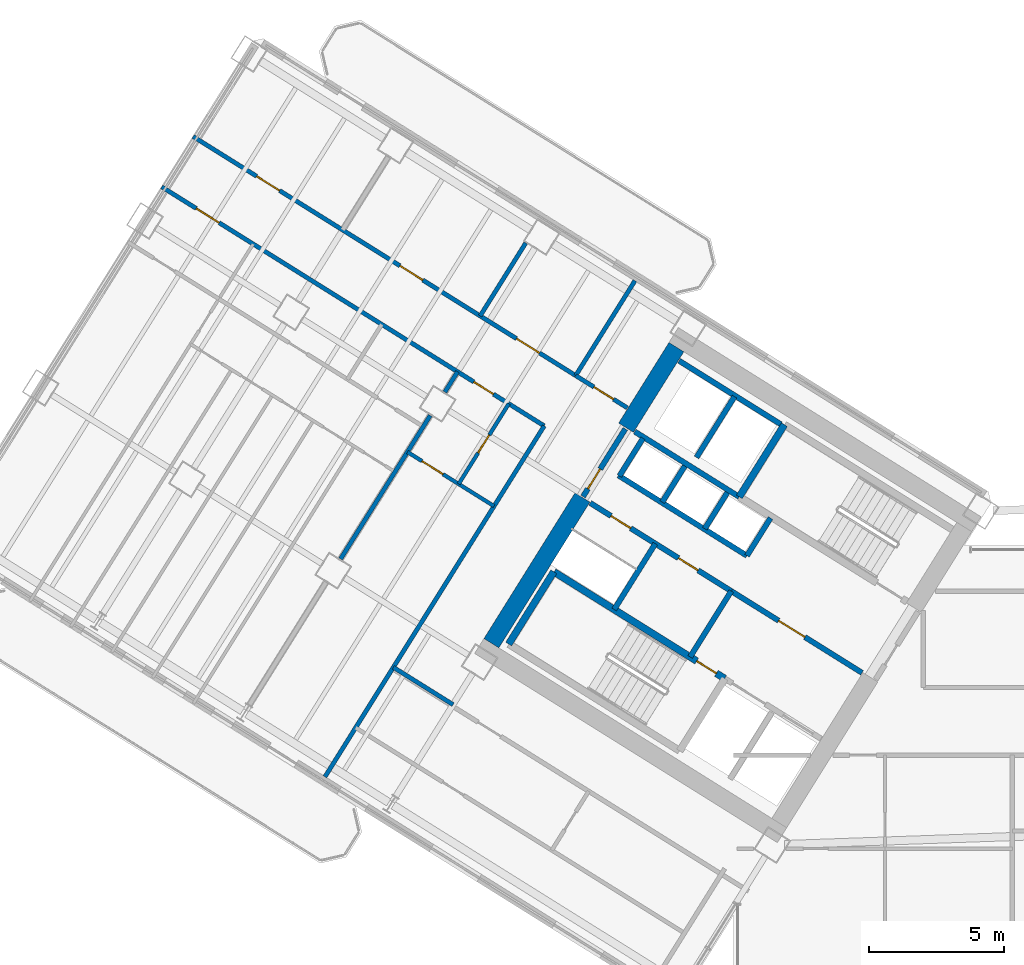
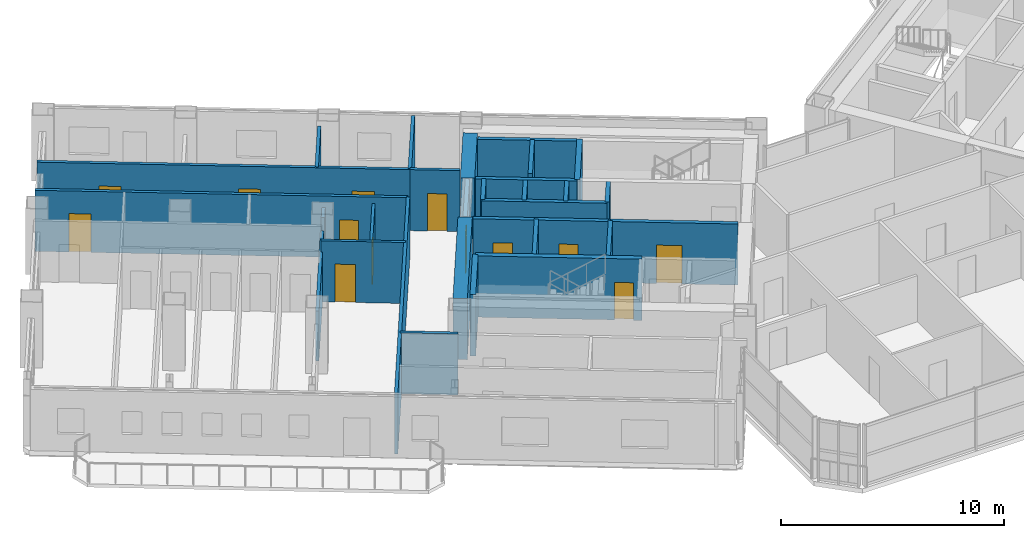
# One storey, part 16 of 28: 29 walls, 13 doors, 13 openings.
"""IFC4 building model written with IfcOpenShell, lengths in metres."""

from ifc_helpers import new_model, si_unit, direction, frame, frame_2d, origin, place, context, subcontext, project, spatial, rectangle, extrude, source, transform, mapped, material, layer, layer_set, type_object, element, fill, save


model = new_model("IFC4")

# Units and contexts
model_context = context("Model", 3, precision=1e-05, world=origin(), true_north=direction((0.0, 1.0)))
body_context = subcontext(model_context, "Body", "Model", "MODEL_VIEW")
ifc_project = project(units=[si_unit("LENGTHUNIT", "METRE"), si_unit("AREAUNIT", "SQUARE_METRE"), si_unit("VOLUMEUNIT", "CUBIC_METRE"), si_unit("PLANEANGLEUNIT", "RADIAN"), si_unit("MASSUNIT", "GRAM", prefix="KILO")], contexts=[model_context])

# Site, building, storey
site_placement = place(None, origin())
site = spatial("IfcSite", under=ifc_project, at=site_placement, CompositionType="ELEMENT")
building_placement = place(site_placement, origin())
building = spatial("IfcBuilding", under=site, at=building_placement, Name="Tlacorven Tower", CompositionType="ELEMENT")
storey_placement = place(building_placement, frame((0.0, 0.0, 27.60009765625)))
storey = spatial("IfcBuildingStorey", under=building, at=storey_placement, Name="L06", CompositionType="ELEMENT", Elevation=27.60009765625)

# Walls
ifc_material_1 = material(Name="Concrete C60/75", Category="concrete")
ifc_layer_1 = layer(ifc_material_1, 0.64990234375)
ifc_layer_set_1 = layer_set([ifc_layer_1], Name="Concrete C60/75")
wall_type_1 = type_object("IfcWallType", Name="WL-COR-650", PredefinedType="SHEAR", material=ifc_layer_set_1)
wall_1_placement = place(storey_placement, frame((29.49072265625, 30.5517578125, 0.0), z_axis=(0.0, 0.0, 1.0), x_axis=(-0.529893103397, -0.8480644427, 0.0)))
element("IfcWall", 1, at=wall_1_placement, inside=storey, type_object=wall_type_1, Name="L06 W core end wall E2.1", PredefinedType="SHEAR", context=body_context, shape_type="SweptSolid", body=[
    extrude(rectangle(XDim=3.525146484375, YDim=0.64990234375, at=frame_2d((1.7626953125, 0.0))), origin(), (0.0, 0.0, 1.0), 3.349853515625),
])
wall_2_placement = place(storey_placement, frame((26.006591796875, 24.975830078125, 0.0), z_axis=(0.0, 0.0, 1.0), x_axis=(-0.529916319127, -0.848049936456, 0.0)))
element("IfcWall", 2, at=wall_2_placement, inside=storey, type_object=wall_type_1, Name="L06 W core end wall E2.2", PredefinedType="SHEAR", context=body_context, shape_type="SweptSolid", body=[
    extrude(rectangle(XDim=6.375, YDim=0.64990234375, at=frame_2d((3.1875, 0.0))), origin(), (0.0, 0.0, 1.0), 3.349853515625),
])

# Wall, opening, door
ifc_material_2 = material(Name="Gypsum plasterboard acoustic partition", Category="gypsum")
ifc_layer_2 = layer(ifc_material_2, 0.159912109375)
ifc_layer_set_2 = layer_set([ifc_layer_2], Name="Gypsum plasterboard acoustic partition")
wall_type_2 = type_object("IfcWallType", Name="WL-DEM-160", PredefinedType="PARTITIONING", material=ifc_layer_set_2)
wall_3_placement = place(storey_placement, frame((27.668701171875, 28.300048828125, 0.0), z_axis=(0.0, 0.0, 1.0), x_axis=(-0.848040823168, 0.52993090327, 0.0)))
wall_3 = element("IfcWall", 3, at=wall_3_placement, inside=storey, type_object=wall_type_2, Name="L06 partition 47", PredefinedType="PARTITIONING", context=body_context, shape_type="SweptSolid", body=[
    extrude(rectangle(XDim=2.2578125, YDim=0.159912109375, at=frame_2d((1.12890625, 0.0))), origin(), (0.0, 0.0, 1.0), 3.33984375),
])
opening_1_placement = place(wall_3_placement, frame((0.597900390625, 0.0, 0.0)))
opening_1 = element("IfcOpeningElement", 4, at=opening_1_placement, cuts=wall_3, Name="Opening D19", PredefinedType="OPENING", context=body_context, shape_type="SweptSolid", body=[
    extrude(rectangle(XDim=0.860107421875, YDim=2.050048828125, at=frame_2d((0.43017578125, 1.02490234375))), frame((0.0, 0.08984375, 0.0), z_axis=(0.0, -1.0, 0.0), x_axis=(1.0, 0.0, 0.0)), (0.0, 0.0, 1.0), 0.179931640625),
])
ifc_material_3 = material(Name="Fire-rated steel door assembly", Category="steel")
door_type_1 = type_object("IfcDoorType", Name="DR-RSR-FD60-0860", OperationType="NOTDEFINED", PredefinedType="DOOR", material=ifc_material_3)
shared_shape_1 = source(origin(), body_context, "Body", "SweptSolid", [
    extrude(rectangle(XDim=0.860107421875, YDim=2.050048828125, at=frame_2d((0.43017578125, 1.02490234375))), frame((0.0, 0.02490234375, 0.0), z_axis=(0.0, -1.0, 0.0), x_axis=(1.0, 0.0, 0.0)), (0.0, 0.0, 1.0), 0.050048828125),
])
door_1_placement = place(opening_1_placement, frame((0.860107421875, 0.0, 0.0), z_axis=(0.0, 0.0, 1.0), x_axis=(-1.0, 0.0, 0.0)))
door_1 = element("IfcDoor", 5, at=door_1_placement, inside=storey, type_object=door_type_1, Name="L06 door 019", OperationType="SINGLE_SWING_RIGHT", OverallHeight=2.050048828125, OverallWidth=0.860107421875, PredefinedType="DOOR", context=body_context, shape_type="MappedRepresentation", body=[
    mapped(shared_shape_1, transform((0.0, 0.0, 0.0), scale=1.0)),
])
fill(opening_1, door_1)

# Walls
wall_4_placement = place(storey_placement, frame((21.20556640625, 17.29248046875, 0.0), z_axis=(0.0, 0.0, 1.0), x_axis=(-0.848050851465, 0.529914854792, 0.0)))
element("IfcWall", 6, at=wall_4_placement, inside=storey, type_object=wall_type_2, Name="L06 partition 48", PredefinedType="PARTITIONING", context=body_context, shape_type="SweptSolid", body=[
    extrude(rectangle(XDim=2.60986328125, YDim=0.159912109375, at=frame_2d((1.304931640625, 0.0))), origin(), (0.0, 0.0, 1.0), 3.33984375),
])
wall_5_placement = place(storey_placement, frame((27.952880859375, 33.01611328125, 0.0), z_axis=(0.0, 0.0, 1.0), x_axis=(-0.529872022255, -0.848077614391, 0.0)))
element("IfcWall", 7, at=wall_5_placement, inside=storey, type_object=wall_type_2, Name="L06 partition 49", PredefinedType="PARTITIONING", context=body_context, shape_type="SweptSolid", body=[
    extrude(rectangle(XDim=4.14990234375, YDim=0.159912109375, at=frame_2d((2.074951171875, 0.0))), origin(), (0.0, 0.0, 1.0), 3.33984375),
])
wall_6_placement = place(storey_placement, frame((24.587890625, 27.630859375, 0.0), z_axis=(0.0, 0.0, 1.0), x_axis=(-0.529914586043, -0.848051019396, 0.0)))
element("IfcWall", 8, at=wall_6_placement, inside=storey, type_object=wall_type_2, Name="L06 partition 50", PredefinedType="PARTITIONING", context=body_context, shape_type="SweptSolid", body=[
    extrude(rectangle(XDim=15.349609375, YDim=0.159912109375, at=frame_2d((7.6748046875, 0.0))), origin(), (0.0, 0.0, 1.0), 3.33984375),
])

# Wall, openings, doors
wall_7_placement = place(storey_placement, frame((25.75390625, 29.49658203125, 0.0), z_axis=(0.0, 0.0, 1.0), x_axis=(-0.848045850158, 0.529922858565, 0.0)))
wall_7 = element("IfcWall", 9, at=wall_7_placement, inside=storey, type_object=wall_type_2, Name="L06 Wing W Corridor South Wall", PredefinedType="PARTITIONING", context=body_context, shape_type="SweptSolid", body=[
    extrude(rectangle(XDim=16.730224609375, YDim=0.159912109375, at=frame_2d((8.365234375, 0.0))), origin(), (0.0, 0.0, 1.0), 3.33984375),
])
opening_2_placement = place(wall_7_placement, frame((1.58837890625, 0.0, 0.0)))
opening_2 = element("IfcOpeningElement", 10, at=opening_2_placement, cuts=wall_7, Name="Opening D11", PredefinedType="OPENING", context=body_context, shape_type="SweptSolid", body=[
    extrude(rectangle(XDim=1.0, YDim=2.10009765625, at=frame_2d((0.5, 1.050048828125))), frame((0.0, 0.08984375, 0.0), z_axis=(0.0, -1.0, 0.0), x_axis=(1.0, 0.0, 0.0)), (0.0, 0.0, 1.0), 0.179931640625),
])
opening_3_placement = place(wall_7_placement, frame((6.68505859375, 0.0, 0.0)))
opening_3 = element("IfcOpeningElement", 11, at=opening_3_placement, cuts=wall_7, Name="Opening D11", PredefinedType="OPENING", context=body_context, shape_type="SweptSolid", body=[
    extrude(rectangle(XDim=1.0, YDim=2.10009765625, at=frame_2d((0.5, 1.050048828125))), frame((0.0, 0.08984375, 0.0), z_axis=(0.0, -1.0, 0.0), x_axis=(1.0, 0.0, 0.0)), (0.0, 0.0, 1.0), 0.179931640625),
])
opening_4_placement = place(wall_7_placement, frame((12.951416015625, 0.0, 0.0)))
opening_4 = element("IfcOpeningElement", 12, at=opening_4_placement, cuts=wall_7, Name="Opening D11", PredefinedType="OPENING", context=body_context, shape_type="SweptSolid", body=[
    extrude(rectangle(XDim=1.0, YDim=2.10009765625, at=frame_2d((0.5, 1.050048828125))), frame((0.0, 0.08984375, 0.0), z_axis=(0.0, -1.0, 0.0), x_axis=(1.0, 0.0, 0.0)), (0.0, 0.0, 1.0), 0.179931640625),
])
door_type_2 = type_object("IfcDoorType", Name="DR-FLT-FD60-1000", OperationType="NOTDEFINED", PredefinedType="DOOR", material=ifc_material_3)
shared_shape_2 = source(origin(), body_context, "Body", "SweptSolid", [
    extrude(rectangle(XDim=1.0, YDim=2.10009765625, at=frame_2d((0.5, 1.050048828125))), frame((0.0, 0.02490234375, 0.0), z_axis=(0.0, -1.0, 0.0), x_axis=(1.0, 0.0, 0.0)), (0.0, 0.0, 1.0), 0.050048828125),
])
door_2_placement = place(opening_2_placement, frame((1.0, 0.0, 0.0), z_axis=(0.0, 0.0, 1.0), x_axis=(-1.0, 0.0, 0.0)))
door_2 = element("IfcDoor", 13, at=door_2_placement, inside=storey, type_object=door_type_2, Name="L06 door 035", OperationType="SINGLE_SWING_LEFT", OverallHeight=2.10009765625, OverallWidth=1.0, PredefinedType="DOOR", context=body_context, shape_type="MappedRepresentation", body=[
    mapped(shared_shape_2, transform((0.0, 0.0, 0.0), scale=1.0)),
])
fill(opening_2, door_2)
door_3_placement = place(opening_3_placement, frame((1.0, 0.0, 0.0), z_axis=(0.0, 0.0, 1.0), x_axis=(-1.0, 0.0, 0.0)))
door_3 = element("IfcDoor", 14, at=door_3_placement, inside=storey, type_object=door_type_2, Name="L06 door 036", OperationType="SINGLE_SWING_RIGHT", OverallHeight=2.10009765625, OverallWidth=1.0, PredefinedType="DOOR", context=body_context, shape_type="MappedRepresentation", body=[
    mapped(shared_shape_2, transform((0.0, 0.0, 0.0), scale=1.0)),
])
fill(opening_3, door_3)
door_4_placement = place(opening_4_placement, frame((1.0, 0.0, 0.0), z_axis=(0.0, 0.0, 1.0), x_axis=(-1.0, 0.0, 0.0)))
door_4 = element("IfcDoor", 15, at=door_4_placement, inside=storey, type_object=door_type_2, Name="L06 door 037", OperationType="SINGLE_SWING_LEFT", OverallHeight=2.10009765625, OverallWidth=1.0, PredefinedType="DOOR", context=body_context, shape_type="MappedRepresentation", body=[
    mapped(shared_shape_2, transform((0.0, 0.0, 0.0), scale=1.0)),
])
fill(opening_4, door_4)

wall_8_placement = place(storey_placement, frame((24.587890625, 27.630859375, 0.0), z_axis=(0.0, 0.0, 1.0), x_axis=(-0.848041752158, 0.529929416617, 0.0)))
wall_8 = element("IfcWall", 16, at=wall_8_placement, inside=storey, type_object=wall_type_2, Name="L06 Wing W Corridor North Wall", PredefinedType="PARTITIONING", context=body_context, shape_type="SweptSolid", body=[
    extrude(rectangle(XDim=16.72998046875, YDim=0.159912109375, at=frame_2d((8.364990234375, 0.0))), origin(), (0.0, 0.0, 1.0), 3.33984375),
])
opening_5_placement = place(wall_8_placement, frame((2.219970703125, 0.0, 0.0)))
opening_5 = element("IfcOpeningElement", 17, at=opening_5_placement, cuts=wall_8, Name="Opening D19", PredefinedType="OPENING", context=body_context, shape_type="SweptSolid", body=[
    extrude(rectangle(XDim=0.860107421875, YDim=2.050048828125, at=frame_2d((0.43017578125, 1.02490234375))), frame((0.0, 0.08984375, 0.0), z_axis=(0.0, -1.0, 0.0), x_axis=(1.0, 0.0, 0.0)), (0.0, 0.0, 1.0), 0.179931640625),
])
opening_6_placement = place(wall_8_placement, frame((14.219970703125, 0.0, 0.0)))
opening_6 = element("IfcOpeningElement", 18, at=opening_6_placement, cuts=wall_8, Name="Opening D11", PredefinedType="OPENING", context=body_context, shape_type="SweptSolid", body=[
    extrude(rectangle(XDim=1.0, YDim=2.10009765625, at=frame_2d((0.5, 1.050048828125))), frame((0.0, 0.08984375, 0.0), z_axis=(0.0, -1.0, 0.0), x_axis=(1.0, 0.0, 0.0)), (0.0, 0.0, 1.0), 0.179931640625),
])
door_5_placement = place(opening_5_placement, origin())
door_5 = element("IfcDoor", 19, at=door_5_placement, inside=storey, type_object=door_type_1, Name="L06 door 021", OperationType="SINGLE_SWING_LEFT", OverallHeight=2.050048828125, OverallWidth=0.860107421875, PredefinedType="DOOR", context=body_context, shape_type="MappedRepresentation", body=[
    mapped(shared_shape_1, transform((0.0, 0.0, 0.0), scale=1.0)),
])
fill(opening_5, door_5)
door_6_placement = place(opening_6_placement, origin())
door_6 = element("IfcDoor", 20, at=door_6_placement, inside=storey, type_object=door_type_2, Name="L06 door 025", OperationType="SINGLE_SWING_LEFT", OverallHeight=2.10009765625, OverallWidth=1.0, PredefinedType="DOOR", context=body_context, shape_type="MappedRepresentation", body=[
    mapped(shared_shape_2, transform((0.0, 0.0, 0.0), scale=1.0)),
])
fill(opening_6, door_6)

# Walls
wall_9_placement = place(storey_placement, frame((21.3740234375, 29.639404296875, 0.0), z_axis=(0.0, 0.0, 1.0), x_axis=(-0.529974231203, -0.848013746505, 0.0)))
element("IfcWall", 21, at=wall_9_placement, inside=storey, type_object=wall_type_2, Name="L06 WN Demising Wall 1", PredefinedType="PARTITIONING", context=body_context, shape_type="SweptSolid", body=[
    extrude(rectangle(XDim=0.88818359375, YDim=0.159912109375, at=frame_2d((0.444091796875, 0.0))), origin(), (0.0, 0.0, 1.0), 2.724853515625),
])
wall_10_placement = place(storey_placement, frame((20.360595703125, 28.017822265625, 0.0), z_axis=(0.0, 0.0, 1.0), x_axis=(-0.529915015264, -0.848050751193, 0.0)))
element("IfcWall", 22, at=wall_10_placement, inside=storey, type_object=wall_type_2, Name="L06 WN Demising Wall 1", PredefinedType="PARTITIONING", context=body_context, shape_type="SweptSolid", body=[
    extrude(rectangle(XDim=6.27587890625, YDim=0.159912109375, at=frame_2d((3.137939453125, 0.0))), origin(), (0.0, 0.0, 1.0), 2.724853515625),
])
wall_11_placement = place(storey_placement, frame((23.90087890625, 34.413818359375, 0.0), z_axis=(0.0, 0.0, 1.0), x_axis=(-0.529930102756, -0.848041323399, 0.0)))
element("IfcWall", 23, at=wall_11_placement, inside=storey, type_object=wall_type_2, Name="L06 partition 67", PredefinedType="PARTITIONING", context=body_context, shape_type="SweptSolid", body=[
    extrude(rectangle(XDim=3.18798828125, YDim=0.159912109375, at=frame_2d((1.593994140625, 0.0))), origin(), (0.0, 0.0, 1.0), 3.33984375),
])

# Wall, opening, door
ifc_material_4 = material(Name="Moisture-resistant gypsum plumbing wall", Category="gypsum")
ifc_layer_3 = layer(ifc_material_4, 0.139892578125)
ifc_layer_set_3 = layer_set([ifc_layer_3], Name="Moisture-resistant gypsum plumbing wall")
wall_type_3 = type_object("IfcWallType", Name="WL-PLM-140", PredefinedType="PLUMBINGWALL", material=ifc_layer_set_3)
wall_12_placement = place(storey_placement, frame((22.72802734375, 24.654296875, 0.0), z_axis=(0.0, 0.0, 1.0), x_axis=(-0.848059820872, 0.529900500304, 0.0)))
wall_12 = element("IfcWall", 24, at=wall_12_placement, inside=storey, type_object=wall_type_3, Name="L06 partition 55", PredefinedType="PLUMBINGWALL", context=body_context, shape_type="SweptSolid", body=[
    extrude(rectangle(XDim=3.7900390625, YDim=0.139892578125, at=frame_2d((1.89501953125, 0.0))), origin(), (0.0, 0.0, 1.0), 3.33984375),
])
opening_7_placement = place(wall_12_placement, frame((2.22998046875, 0.0, 0.0)))
opening_7 = element("IfcOpeningElement", 25, at=opening_7_placement, cuts=wall_12, Name="Opening D12", PredefinedType="OPENING", context=body_context, shape_type="SweptSolid", body=[
    extrude(rectangle(XDim=0.919921875, YDim=2.080078125, at=frame_2d((0.4599609375, 1.0400390625))), frame((0.0, 0.080078125, 0.0), z_axis=(0.0, -1.0, 0.0), x_axis=(1.0, 0.0, 0.0)), (0.0, 0.0, 1.0), 0.159912109375),
])
ifc_material_5 = material(Name="Powder-coated aluminium and timber door", Category="wood")
door_type_3 = type_object("IfcDoorType", Name="DR-INT-ROOM-0920", OperationType="NOTDEFINED", PredefinedType="DOOR", material=ifc_material_5)
shared_shape_3 = source(origin(), body_context, "Body", "SweptSolid", [
    extrude(rectangle(XDim=0.919921875, YDim=2.080078125, at=frame_2d((0.4599609375, 1.0400390625))), frame((0.0, 0.02490234375, 0.0), z_axis=(0.0, -1.0, 0.0), x_axis=(1.0, 0.0, 0.0)), (0.0, 0.0, 1.0), 0.050048828125),
])
door_7_placement = place(opening_7_placement, origin())
door_7 = element("IfcDoor", 26, at=door_7_placement, inside=storey, type_object=door_type_3, Name="L06 door 022", OperationType="SINGLE_SWING_RIGHT", OverallHeight=2.080078125, OverallWidth=0.919921875, PredefinedType="DOOR", context=body_context, shape_type="MappedRepresentation", body=[
    mapped(shared_shape_3, transform((0.0, 0.0, 0.0), scale=1.0)),
])
fill(opening_7, door_7)

wall_13_placement = place(storey_placement, frame((23.2734375, 28.452392578125, 0.0), z_axis=(0.0, 0.0, 1.0), x_axis=(-0.529867639402, -0.848080352747, 0.0)))
wall_13 = element("IfcWall", 27, at=wall_13_placement, inside=storey, type_object=wall_type_3, Name="L06 partition 56", PredefinedType="PLUMBINGWALL", context=body_context, shape_type="SweptSolid", body=[
    extrude(rectangle(XDim=3.510009765625, YDim=0.139892578125, at=frame_2d((1.7548828125, 0.0))), origin(), (0.0, 0.0, 1.0), 2.994873046875),
])
opening_8_placement = place(wall_13_placement, frame((1.364990234375, 0.0, 0.0)))
opening_8 = element("IfcOpeningElement", 28, at=opening_8_placement, cuts=wall_13, Name="Opening D22", PredefinedType="OPENING", context=body_context, shape_type="SweptSolid", body=[
    extrude(rectangle(XDim=0.780029296875, YDim=2.050048828125, at=frame_2d((0.39013671875, 1.02490234375))), frame((0.0, 0.080078125, 0.0), z_axis=(0.0, -1.0, 0.0), x_axis=(1.0, 0.0, 0.0)), (0.0, 0.0, 1.0), 0.159912109375),
])
door_type_4 = type_object("IfcDoorType", Name="DR-INT-WET-0780", OperationType="NOTDEFINED", PredefinedType="DOOR", material=ifc_material_5)
shared_shape_4 = source(origin(), body_context, "Body", "SweptSolid", [
    extrude(rectangle(XDim=0.780029296875, YDim=2.050048828125, at=frame_2d((0.39013671875, 1.02490234375))), frame((0.0, 0.02490234375, 0.0), z_axis=(0.0, -1.0, 0.0), x_axis=(1.0, 0.0, 0.0)), (0.0, 0.0, 1.0), 0.050048828125),
])
door_8_placement = place(opening_8_placement, origin())
door_8 = element("IfcDoor", 29, at=door_8_placement, inside=storey, type_object=door_type_4, Name="L06 door 023", OperationType="SINGLE_SWING_LEFT", OverallHeight=2.050048828125, OverallWidth=0.780029296875, PredefinedType="DOOR", context=body_context, shape_type="MappedRepresentation", body=[
    mapped(shared_shape_4, transform((0.0, 0.0, 0.0), scale=1.0)),
])
fill(opening_8, door_8)

ifc_material_6 = material(Name="Concrete C40/50", Category="concrete")
ifc_layer_4 = layer(ifc_material_6, 0.199951171875)
ifc_layer_set_4 = layer_set([ifc_layer_4], Name="Concrete C40/50")
wall_type_4 = type_object("IfcWallType", Name="WL-SHF-200", PredefinedType="STANDARD", material=ifc_layer_set_4)
wall_14_placement = place(storey_placement, frame((36.374267578125, 18.4736328125, 0.0), z_axis=(0.0, 0.0, 1.0), x_axis=(-0.848051071577, 0.529914502535, 0.0)))
wall_14 = element("IfcWall", 30, at=wall_14_placement, inside=storey, type_object=wall_type_4, Name="L06 Core W Smoke Lobby Wall", PredefinedType="STANDARD", context=body_context, shape_type="SweptSolid", body=[
    extrude(rectangle(XDim=5.718017578125, YDim=0.199951171875, at=frame_2d((2.85888671875, 0.0))), origin(), (0.0, 0.0, 1.0), 3.33984375),
])
opening_9_placement = place(wall_14_placement, frame((2.498046875, 0.0, 0.0)))
opening_9 = element("IfcOpeningElement", 31, at=opening_9_placement, cuts=wall_14, Name="Opening D09", PredefinedType="OPENING", context=body_context, shape_type="SweptSolid", body=[
    extrude(rectangle(XDim=1.14990234375, YDim=2.10009765625, at=frame_2d((0.574951171875, 1.050048828125))), frame((0.0, 0.10986328125, 0.0), z_axis=(0.0, -1.0, 0.0), x_axis=(1.0, 0.0, 0.0)), (0.0, 0.0, 1.0), 0.219970703125),
])
door_type_5 = type_object("IfcDoorType", Name="DR-FFL-FD60-1150", OperationType="NOTDEFINED", PredefinedType="DOOR", material=ifc_material_3)
shared_shape_5 = source(origin(), body_context, "Body", "SweptSolid", [
    extrude(rectangle(XDim=1.14990234375, YDim=2.10009765625, at=frame_2d((0.574951171875, 1.050048828125))), frame((0.0, 0.02490234375, 0.0), z_axis=(0.0, -1.0, 0.0), x_axis=(1.0, 0.0, 0.0)), (0.0, 0.0, 1.0), 0.050048828125),
])
door_9_placement = place(opening_9_placement, origin())
door_9 = element("IfcDoor", 32, at=door_9_placement, inside=storey, type_object=door_type_5, Name="L06 Firefighting Lobby W Fire Door", OperationType="SINGLE_SWING_RIGHT", OverallHeight=2.10009765625, OverallWidth=1.14990234375, PredefinedType="DOOR", context=body_context, shape_type="MappedRepresentation", body=[
    mapped(shared_shape_5, transform((0.0, 0.0, 0.0), scale=1.0)),
])
fill(opening_9, door_9)

# Walls
wall_15_placement = place(storey_placement, frame((31.82177734375, 24.99755859375, 0.0), z_axis=(0.0, 0.0, 1.0), x_axis=(-0.848058348634, 0.529902856485, 0.0)))
element("IfcWall", 33, at=wall_15_placement, inside=storey, type_object=wall_type_4, Name="L06 Core W South Lift Shaft Wall", PredefinedType="STANDARD", context=body_context, shape_type="SweptSolid", body=[
    extrude(rectangle(XDim=4.568115234375, YDim=0.199951171875, at=frame_2d((2.2841796875, 0.0))), origin(), (0.0, 0.0, 1.0), 3.33984375),
])
wall_16_placement = place(storey_placement, frame((32.108154296875, 22.81396484375, 0.0), z_axis=(0.0, 0.0, 1.0), x_axis=(-0.848042229521, 0.529928652696, 0.0)))
element("IfcWall", 34, at=wall_16_placement, inside=storey, type_object=wall_type_4, Name="L06 partition 11", PredefinedType="STANDARD", context=body_context, shape_type="SweptSolid", body=[
    extrude(rectangle(XDim=5.6201171875, YDim=0.199951171875, at=frame_2d((2.81005859375, 0.0))), origin(), (0.0, 0.0, 1.0), 3.33984375),
])
wall_17_placement = place(storey_placement, frame((32.982421875, 24.21337890625, 0.0), z_axis=(0.0, 0.0, 1.0), x_axis=(-0.529839334948, -0.84809803628, 0.0)))
element("IfcWall", 35, at=wall_17_placement, inside=storey, type_object=wall_type_4, Name="L06 partition 12", PredefinedType="STANDARD", context=body_context, shape_type="SweptSolid", body=[
    extrude(rectangle(XDim=1.650146484375, YDim=0.199951171875, at=frame_2d((0.8251953125, 0.0))), origin(), (0.0, 0.0, 1.0), 3.33984375),
])
wall_18_placement = place(storey_placement, frame((28.250244140625, 27.170166015625, 0.0), z_axis=(0.0, 0.0, 1.0), x_axis=(-0.529905827651, -0.848056492117, 0.0)))
element("IfcWall", 36, at=wall_18_placement, inside=storey, type_object=wall_type_4, Name="L06 partition 13", PredefinedType="STANDARD", context=body_context, shape_type="SweptSolid", body=[
    extrude(rectangle(XDim=1.64990234375, YDim=0.199951171875, at=frame_2d((0.824951171875, 0.0))), origin(), (0.0, 0.0, 1.0), 3.33984375),
])
wall_19_placement = place(storey_placement, frame((31.645263671875, 28.716064453125, 0.0), z_axis=(0.0, 0.0, 1.0), x_axis=(-0.52986693015, -0.848080795876, 0.0)))
element("IfcWall", 37, at=wall_19_placement, inside=storey, type_object=wall_type_4, Name="L06 partition 15", PredefinedType="STANDARD", context=body_context, shape_type="SweptSolid", body=[
    extrude(rectangle(XDim=2.659912109375, YDim=0.199951171875, at=frame_2d((1.330078125, 0.0))), origin(), (0.0, 0.0, 1.0), 3.33984375),
])
wall_20_placement = place(storey_placement, frame((33.362548828125, 27.690185546875, 0.0), z_axis=(0.0, 0.0, 1.0), x_axis=(-0.848053806312, 0.529910125964, 0.0)))
element("IfcWall", 38, at=wall_20_placement, inside=storey, type_object=wall_type_4, Name="L06 partition 17", PredefinedType="STANDARD", context=body_context, shape_type="SweptSolid", body=[
    extrude(rectangle(XDim=4.44775390625, YDim=0.199951171875, at=frame_2d((2.223876953125, 0.0))), origin(), (0.0, 0.0, 1.0), 3.33984375),
])
for number, where, z_axis, x_axis, name in (
    (39, (31.378662109375, 25.156494140625, 0.0), (0.0, 0.0, 1.0), (-0.529998940003, -0.847998304005, 0.0), "L06 partition 18"),
    (40, (29.80126953125, 26.14208984375, 0.0), (0.0, 0.0, 1.0), (-0.529998940003, -0.847998304005, 0.0), "L06 partition 19"),
):
    element("IfcWall", number, at=place(storey_placement, frame(where, z_axis=z_axis, x_axis=x_axis)), inside=storey, type_object=wall_type_4, Name=name, PredefinedType="STANDARD", context=body_context, shape_type="SweptSolid", body=[
        extrude(rectangle(XDim=1.580078125, YDim=0.199951171875, at=frame_2d((0.7900390625, 0.0))), origin(), (0.0, 0.0, 1.0), 3.33984375),
    ])
for number, where, z_axis, x_axis, name in (
    (41, (31.525146484375, 21.503662109375, 0.0), (0.0, 0.0, 1.0), (-0.529907497854, -0.848055448493, 0.0), "L06 partition 20"),
    (42, (28.709716796875, 23.26318359375, 0.0), (0.0, 0.0, 1.0), (-0.529907497854, -0.848055448493, 0.0), "L06 partition 21"),
):
    element("IfcWall", number, at=place(storey_placement, frame(where, z_axis=z_axis, x_axis=x_axis)), inside=storey, type_object=wall_type_4, Name=name, PredefinedType="STANDARD", context=body_context, shape_type="SweptSolid", body=[
        extrude(rectangle(XDim=2.8798828125, YDim=0.199951171875, at=frame_2d((1.43994140625, 0.0))), origin(), (0.0, 0.0, 1.0), 3.33984375),
    ])

# Wall, openings, doors
wall_21_placement = place(storey_placement, frame((31.525146484375, 21.503662109375, 0.0), z_axis=(0.0, 0.0, 1.0), x_axis=(-0.848044998614, 0.529924221305, 0.0)))
wall_21 = element("IfcWall", 43, at=wall_21_placement, inside=storey, type_object=wall_type_4, Name="L06 Core W North Service Wall", PredefinedType="STANDARD", context=body_context, shape_type="SweptSolid", body=[
    extrude(rectangle(XDim=6.16796875, YDim=0.199951171875, at=frame_2d((3.083984375, 0.0))), origin(), (0.0, 0.0, 1.0), 3.33984375),
])
opening_10_placement = place(wall_21_placement, frame((4.39990234375, 0.0, 0.0)))
opening_10 = element("IfcOpeningElement", 44, at=opening_10_placement, cuts=wall_21, Name="Opening D19", PredefinedType="OPENING", context=body_context, shape_type="SweptSolid", body=[
    extrude(rectangle(XDim=0.860107421875, YDim=2.050048828125, at=frame_2d((0.43017578125, 1.02490234375))), frame((0.0, 0.10986328125, 0.0), z_axis=(0.0, -1.0, 0.0), x_axis=(1.0, 0.0, 0.0)), (0.0, 0.0, 1.0), 0.219970703125),
])
opening_11_placement = place(wall_21_placement, frame((1.449951171875, 0.0, 0.0)))
opening_11 = element("IfcOpeningElement", 45, at=opening_11_placement, cuts=wall_21, Name="Opening D19", PredefinedType="OPENING", context=body_context, shape_type="SweptSolid", body=[
    extrude(rectangle(XDim=0.860107421875, YDim=2.050048828125, at=frame_2d((0.43017578125, 1.02490234375))), frame((0.0, 0.10986328125, 0.0), z_axis=(0.0, -1.0, 0.0), x_axis=(1.0, 0.0, 0.0)), (0.0, 0.0, 1.0), 0.219970703125),
])
door_10_placement = place(opening_10_placement, frame((0.860107421875, 0.0, 0.0), z_axis=(0.0, 0.0, 1.0), x_axis=(-1.0, 0.0, 0.0)))
door_10 = element("IfcDoor", 46, at=door_10_placement, inside=storey, type_object=door_type_1, Name="L06 Electrical Riser Access Door W", OperationType="SINGLE_SWING_LEFT", OverallHeight=2.050048828125, OverallWidth=0.860107421875, PredefinedType="DOOR", context=body_context, shape_type="MappedRepresentation", body=[
    mapped(shared_shape_1, transform((0.0, 0.0, 0.0), scale=1.0)),
])
fill(opening_10, door_10)
door_11_placement = place(opening_11_placement, frame((0.860107421875, 0.0, 0.0), z_axis=(0.0, 0.0, 1.0), x_axis=(-1.0, 0.0, 0.0)))
door_11 = element("IfcDoor", 47, at=door_11_placement, inside=storey, type_object=door_type_1, Name="L06 Housekeeping Linen Access Door W", OperationType="SINGLE_SWING_RIGHT", OverallHeight=2.050048828125, OverallWidth=0.860107421875, PredefinedType="DOOR", context=body_context, shape_type="MappedRepresentation", body=[
    mapped(shared_shape_1, transform((0.0, 0.0, 0.0), scale=1.0)),
])
fill(opening_11, door_11)

# Wall, opening, door
wall_22_placement = place(storey_placement, frame((27.59619140625, 27.52001953125, 0.0), z_axis=(0.0, 0.0, 1.0), x_axis=(-0.529865479138, -0.848081702443, 0.0)))
wall_22 = element("IfcWall", 48, at=wall_22_placement, inside=storey, type_object=wall_type_4, Name="L06 partition 46", PredefinedType="STANDARD", context=body_context, shape_type="SweptSolid", body=[
    extrude(rectangle(XDim=2.9599609375, YDim=0.199951171875, at=frame_2d((1.47998046875, 0.0))), origin(), (0.0, 0.0, 1.0), 3.33984375),
])
opening_12_placement = place(wall_22_placement, frame((1.760009765625, 0.0, 0.0)))
opening_12 = element("IfcOpeningElement", 49, at=opening_12_placement, cuts=wall_22, Name="Opening D19", PredefinedType="OPENING", context=body_context, shape_type="SweptSolid", body=[
    extrude(rectangle(XDim=0.860107421875, YDim=2.050048828125, at=frame_2d((0.43017578125, 1.02490234375))), frame((0.0, 0.10986328125, 0.0), z_axis=(0.0, -1.0, 0.0), x_axis=(1.0, 0.0, 0.0)), (0.0, 0.0, 1.0), 0.219970703125),
])
door_12_placement = place(opening_12_placement, origin())
door_12 = element("IfcDoor", 50, at=door_12_placement, inside=storey, type_object=door_type_1, Name="L06 door 020", OperationType="SINGLE_SWING_LEFT", OverallHeight=2.050048828125, OverallWidth=0.860107421875, PredefinedType="DOOR", context=body_context, shape_type="MappedRepresentation", body=[
    mapped(shared_shape_1, transform((0.0, 0.0, 0.0), scale=1.0)),
])
fill(opening_12, door_12)

ifc_material_7 = material(Name="Concrete C50/60", Category="concrete")
ifc_layer_5 = layer(ifc_material_7, 0.260009765625)
ifc_layer_set_5 = layer_set([ifc_layer_5], Name="Concrete C50/60")
wall_type_5 = type_object("IfcWallType", Name="WL-STW-260", PredefinedType="SHEAR", material=ifc_layer_set_5)
wall_23_placement = place(storey_placement, frame((31.279541015625, 18.26123046875, 0.0), z_axis=(0.0, 0.0, 1.0), x_axis=(-0.848051618787, 0.529913626805, 0.0)))
wall_23 = element("IfcWall", 51, at=wall_23_placement, inside=storey, type_object=wall_type_5, Name="L06 Stair W1 Lobby Shear Wall", PredefinedType="SHEAR", context=body_context, shape_type="SweptSolid", body=[
    extrude(rectangle(XDim=7.4599609375, YDim=0.260009765625, at=frame_2d((3.72998046875, 0.0))), origin(), (0.0, 0.0, 1.0), 3.349853515625),
])
opening_13_placement = place(wall_23_placement, frame((0.360107421875, 0.0, 0.0)))
opening_13 = element("IfcOpeningElement", 52, at=opening_13_placement, cuts=wall_23, Name="Opening D19", PredefinedType="OPENING", context=body_context, shape_type="SweptSolid", body=[
    extrude(rectangle(XDim=0.860107421875, YDim=2.050048828125, at=frame_2d((0.43017578125, 1.02490234375))), frame((0.0, 0.14013671875, 0.0), z_axis=(0.0, -1.0, 0.0), x_axis=(1.0, 0.0, 0.0)), (0.0, 0.0, 1.0), 0.280029296875),
])
door_13_placement = place(opening_13_placement, frame((0.860107421875, 0.0, 0.0), z_axis=(0.0, 0.0, 1.0), x_axis=(-1.0, 0.0, 0.0)))
door_13 = element("IfcDoor", 53, at=door_13_placement, inside=storey, type_object=door_type_1, Name="L06 Exit Stair W1 Fire Door", OperationType="SINGLE_SWING_LEFT", OverallHeight=2.050048828125, OverallWidth=0.860107421875, PredefinedType="DOOR", context=body_context, shape_type="MappedRepresentation", body=[
    mapped(shared_shape_1, transform((0.0, 0.0, 0.0), scale=1.0)),
])
fill(opening_13, door_13)

# Walls
for number, where, z_axis, x_axis, name in (
    (54, (24.944580078125, 22.2197265625, 0.0), (0.0, 0.0, 1.0), (-0.529908658664, -0.84805472316, 0.0), "L06 Stair W1 East Shear Wall"),
    (55, (33.496337890625, 27.677490234375, 0.0), (0.0, 0.0, 1.0), (-0.529908658664, -0.84805472316, 0.0), "L06 Stair W2 East Shear Wall"),
):
    element("IfcWall", number, at=place(storey_placement, frame(where, z_axis=z_axis, x_axis=x_axis)), inside=storey, type_object=wall_type_5, Name=name, PredefinedType="SHEAR", context=body_context, shape_type="SweptSolid", body=[
        extrude(rectangle(XDim=3.16015625, YDim=0.260009765625, at=frame_2d((1.580078125, 0.0))), origin(), (0.0, 0.0, 1.0), 3.349853515625),
    ])

save(model, "model.ifc")
